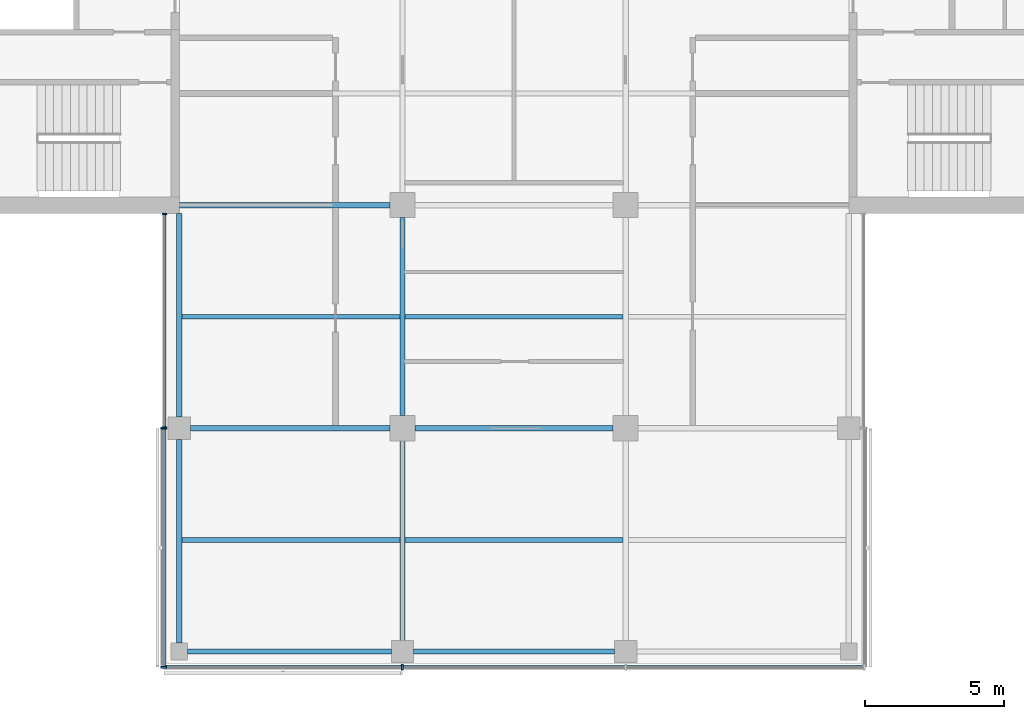
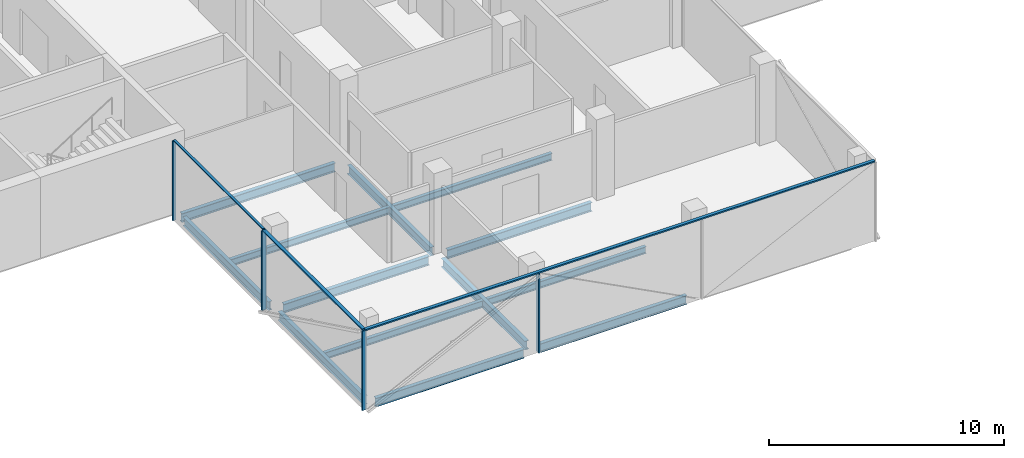
# One storey, part 2 of 16: 13 beams, 8 members, 3 elements without a shape of their own.
"""IFC4 building model written with IfcOpenShell, lengths in metres."""

from ifc_helpers import new_model, si_unit, direction, frame, origin, origin_2d, place, context, subcontext, project, spatial, rectangle, i_section, extrude, material, material_profile, profile_set, type_object, element, aggregate, save


model = new_model("IFC4")

# Units and contexts
model_context = context("Model", 3, precision=1e-05, world=origin(), true_north=direction((0.0, 1.0)))
body_context = subcontext(model_context, "Body", "Model", "MODEL_VIEW")
ifc_project = project(units=[si_unit("LENGTHUNIT", "METRE"), si_unit("AREAUNIT", "SQUARE_METRE"), si_unit("VOLUMEUNIT", "CUBIC_METRE"), si_unit("PLANEANGLEUNIT", "RADIAN"), si_unit("MASSUNIT", "GRAM", prefix="KILO")], contexts=[model_context])

# Site, building, storey
site_placement = place(None, origin())
site = spatial("IfcSite", under=ifc_project, at=site_placement, CompositionType="ELEMENT")
building_placement = place(site_placement, origin())
building = spatial("IfcBuilding", under=site, at=building_placement, Name="Crosswind Convention Tower", CompositionType="ELEMENT")
storey_placement = place(building_placement, frame((0.0, 0.0, 208.300048828125)))
storey = spatial("IfcBuildingStorey", under=building, at=storey_placement, Name="L44", CompositionType="ELEMENT", Elevation=208.300048828125)

# Beams
ifc_material_1 = material(Name="Steel S355", Category="steel")
ifc_material_profile_1 = material_profile(ifc_material_1, i_section(OverallWidth=0.18994140625, OverallDepth=0.45361328125, WebThickness=0.008544921875, FlangeThickness=0.0126953125, FilletRadius=0.01025390625, at=origin_2d()), Name="UB 457x191x67")
ifc_profile_set_1 = profile_set([ifc_material_profile_1], Name="Steel S355")
beam_type_1 = type_object("IfcBeamType", Name="Edge beam UB 457x191x67", PredefinedType="SPANDREL", material=ifc_profile_set_1)
for number, where, z_axis, x_axis, name in (
    (1, (113.0, 72.300048828125, -0.52685546875), (0.0, 1.0, 0.0), (-1.0, 0.0, 0.0), "B16 L44 edge beam 1"),
    (2, (113.0, 80.39990234375, -0.52685546875), (0.0, 1.0, 0.0), (-1.0, 0.0, 0.0), "B16 L44 edge beam 2"),
    (3, (113.300048828125, 72.0, -0.52685546875), (1.0, 0.0, 0.0), (0.0, 1.0, 0.0), "B16 L44 edge beam 5"),
):
    element("IfcBeam", number, at=place(storey_placement, frame(where, z_axis=z_axis, x_axis=x_axis)), inside=storey, type_object=beam_type_1, Name=name, PredefinedType="SPANDREL", context=body_context, shape_type="SweptSolid", body=[
        extrude(i_section(OverallWidth=0.18994140625, OverallDepth=0.45361328125, WebThickness=0.008544921875, FlangeThickness=0.0126953125, FilletRadius=0.01025390625, at=origin_2d()), origin(), (0.0, 0.0, 1.0), 7.300048828125),
    ])
beam_1_placement = place(storey_placement, frame((121.39990234375, 72.0, -0.52685546875), z_axis=(1.0, 0.0, 0.0), x_axis=(0.0, 1.0, 0.0)))
element("IfcBeam", 4, at=beam_1_placement, inside=storey, type_object=beam_type_1, Name="B16 L44 edge beam 7", PredefinedType="SPANDREL", context=body_context, shape_type="SweptSolid", body=[
    extrude(i_section(OverallWidth=0.18994140625, OverallDepth=0.45361328125, WebThickness=0.008544921875, FlangeThickness=0.0126953125, FilletRadius=0.01025390625, at=origin_2d()), origin(), (0.0, 0.0, 1.0), 7.2001953125),
])
ifc_material_profile_2 = material_profile(ifc_material_1, i_section(OverallWidth=0.1904296875, OverallDepth=0.457275390625, WebThickness=0.009033203125, FlangeThickness=0.014404296875, FilletRadius=0.01025390625, at=origin_2d()), Name="UB 457x191x75")
ifc_profile_set_2 = profile_set([ifc_material_profile_2], Name="Steel S355")
beam_type_2 = type_object("IfcBeamType", Name="Girder UB 457x191x75", PredefinedType="BEAM", material=ifc_profile_set_2)
for number, where, z_axis, x_axis, name in (
    (5, (113.39990234375, 80.0, -0.528564453125), (1.0, 0.0, 0.0), (0.0, 1.0, 0.0), "B2 L44 girder 1"),
    (6, (121.0, 72.39990234375, -0.528564453125), (0.0, 1.0, 0.0), (-1.0, 0.0, 0.0), "B2 L44 girder 3"),
):
    element("IfcBeam", number, at=place(storey_placement, frame(where, z_axis=z_axis, x_axis=x_axis)), inside=storey, type_object=beam_type_2, Name=name, PredefinedType="BEAM", context=body_context, shape_type="SweptSolid", body=[
        extrude(i_section(OverallWidth=0.1904296875, OverallDepth=0.457275390625, WebThickness=0.009033203125, FlangeThickness=0.014404296875, FilletRadius=0.01025390625, at=origin_2d()), origin(), (0.0, 0.0, 1.0), 7.150146484375),
    ])
for number, where, z_axis, x_axis, name in (
    (7, (121.0, 80.449951171875, -0.528564453125), (0.0, 1.0, 0.0), (-1.0, 0.0, 0.0), "B2 L44 girder 4"),
    (8, (121.449951171875, 80.0, -0.528564453125), (1.0, 0.0, 0.0), (0.0, 1.0, 0.0), "B2 L44 girder 10"),
):
    element("IfcBeam", number, at=place(storey_placement, frame(where, z_axis=z_axis, x_axis=x_axis)), inside=storey, type_object=beam_type_2, Name=name, PredefinedType="BEAM", context=body_context, shape_type="SweptSolid", body=[
        extrude(i_section(OverallWidth=0.1904296875, OverallDepth=0.457275390625, WebThickness=0.009033203125, FlangeThickness=0.014404296875, FilletRadius=0.01025390625, at=origin_2d()), origin(), (0.0, 0.0, 1.0), 7.10009765625),
    ])
ifc_material_profile_3 = material_profile(ifc_material_1, i_section(OverallWidth=0.19140625, OverallDepth=0.460205078125, WebThickness=0.010009765625, FlangeThickness=0.01611328125, FilletRadius=0.01025390625, at=origin_2d()), Name="UB 457x191x82")
ifc_profile_set_3 = profile_set([ifc_material_profile_3], Name="Steel S355")
beam_type_3 = type_object("IfcBeamType", Name="Girder at core wall UB 457x191x82", PredefinedType="BEAM", material=ifc_profile_set_3)
beam_2_placement = place(storey_placement, frame((113.0, 88.0, -0.530029296875), z_axis=(1.0, 0.0, 0.0), x_axis=(0.0, 1.0, 0.0)))
element("IfcBeam", 9, at=beam_2_placement, inside=storey, type_object=beam_type_3, Name="B23 L44 girder at core wall 1", PredefinedType="BEAM", context=body_context, shape_type="SweptSolid", body=[
    extrude(i_section(OverallWidth=0.19140625, OverallDepth=0.460205078125, WebThickness=0.010009765625, FlangeThickness=0.01611328125, FilletRadius=0.01025390625, at=origin_2d()), origin(), (0.0, 0.0, 1.0), 7.550048828125),
])

# Curtain wall, members
ifc_material_2 = material(Name="Aluminium unitised curtain wall", Category="aluminium")
curtain_wall_type_1 = type_object("IfcCurtainWallType", Name="CORE END SLOT WALL 160", PredefinedType="USERDEFINED", material=ifc_material_2)
curtain_wall_1_placement = place(storey_placement, origin())
curtain_wall_1 = element("IfcCurtainWall", 10, at=curtain_wall_1_placement, inside=storey, type_object=curtain_wall_type_1, Name="CW6 L44 S-W.1-1 slot", ObjectType="UNITISED", PredefinedType="USERDEFINED")
ifc_material_3 = material(Name="Aluminium mullion", Category="aluminium")
ifc_material_profile_4 = material_profile(ifc_material_3, rectangle(XDim=0.159912109375, YDim=0.050048828125, at=origin_2d()), Name="AL 160X50")
ifc_profile_set_4 = profile_set([ifc_material_profile_4], Name="Aluminium mullion")
member_type_1 = type_object("IfcMemberType", Name="MULLION 50X160", PredefinedType="MULLION", material=ifc_profile_set_4)
member_1_placement = place(storey_placement, frame((112.469970703125, 87.675048828125, -0.300048828125), z_axis=(0.0, 0.0, 1.0), x_axis=(-1.0, 0.0, 0.0)))
member_1 = element("IfcMember", 11, at=member_1_placement, type_object=member_type_1, Name="CW6 mullion 1", PredefinedType="MULLION", context=body_context, shape_type="SweptSolid", body=[
    extrude(rectangle(XDim=0.159912109375, YDim=0.050048828125, at=origin_2d()), origin(), (0.0, 0.0, 1.0), 4.14990234375),
])
member_2_placement = place(storey_placement, frame((112.469970703125, 80.02490234375, -0.300048828125), z_axis=(0.0, 0.0, 1.0), x_axis=(-1.0, 0.0, 0.0)))
member_2 = element("IfcMember", 12, at=member_2_placement, type_object=member_type_1, Name="CW6 mullion 2", PredefinedType="MULLION", context=body_context, shape_type="SweptSolid", body=[
    extrude(rectangle(XDim=0.159912109375, YDim=0.050048828125, at=origin_2d()), origin(), (0.0, 0.0, 1.0), 4.14990234375),
])

curtain_wall_type_2 = type_object("IfcCurtainWallType", Name="OFFICE UNITISED WALL 220", PredefinedType="USERDEFINED", material=ifc_material_2)
curtain_wall_2_placement = place(storey_placement, origin())
curtain_wall_2 = element("IfcCurtainWall", 13, at=curtain_wall_2_placement, inside=storey, type_object=curtain_wall_type_2, Name="CW3 L44 S-W 1", ObjectType="UNITISED", PredefinedType="USERDEFINED")
ifc_material_profile_5 = material_profile(ifc_material_3, rectangle(XDim=0.219970703125, YDim=0.070068359375, at=origin_2d()), Name="AL 220X70")
ifc_profile_set_5 = profile_set([ifc_material_profile_5], Name="Aluminium mullion")
member_type_2 = type_object("IfcMemberType", Name="MULLION 70X220", PredefinedType="MULLION", material=ifc_profile_set_5)
member_3_placement = place(storey_placement, frame((112.43994140625, 80.0, -0.300048828125), z_axis=(0.0, 0.0, 1.0), x_axis=(-1.0, 0.0, 0.0)))
member_3 = element("IfcMember", 14, at=member_3_placement, type_object=member_type_2, Name="CW3 mullion 1", PredefinedType="MULLION", context=body_context, shape_type="SweptSolid", body=[
    extrude(rectangle(XDim=0.219970703125, YDim=0.070068359375, at=origin_2d()), origin(), (0.0, 0.0, 1.0), 4.1298828125),
])
member_4_placement = place(storey_placement, frame((112.43994140625, 71.43994140625, -0.300048828125), z_axis=(0.0, 0.0, 1.0), x_axis=(-1.0, 0.0, 0.0)))
member_4 = element("IfcMember", 15, at=member_4_placement, type_object=member_type_2, Name="CW3 mullion 2", PredefinedType="MULLION", context=body_context, shape_type="SweptSolid", body=[
    extrude(rectangle(XDim=0.219970703125, YDim=0.070068359375, at=origin_2d()), origin(), (0.0, 0.0, 1.0), 4.1298828125),
])

# Curtain wall, member
curtain_wall_3_placement = place(storey_placement, origin())
curtain_wall_3 = element("IfcCurtainWall", 16, at=curtain_wall_3_placement, inside=storey, type_object=curtain_wall_type_2, Name="CW3 L44 S-TIP 1", ObjectType="UNITISED", PredefinedType="USERDEFINED")
member_5_placement = place(storey_placement, frame((121.0, 71.43994140625, -0.300048828125), z_axis=(0.0, 0.0, 1.0), x_axis=(0.0, -1.0, 0.0)))
member_5 = element("IfcMember", 17, at=member_5_placement, type_object=member_type_2, Name="CW3 mullion 2", PredefinedType="MULLION", context=body_context, shape_type="SweptSolid", body=[
    extrude(rectangle(XDim=0.219970703125, YDim=0.070068359375, at=origin_2d()), origin(), (0.0, 0.0, 1.0), 4.1298828125),
])

# Beams
ifc_material_profile_6 = material_profile(ifc_material_1, i_section(OverallWidth=0.172119140625, OverallDepth=0.358642578125, WebThickness=0.008056640625, FlangeThickness=0.012939453125, FilletRadius=0.01025390625, at=origin_2d()), Name="UB 356x171x57")
ifc_profile_set_6 = profile_set([ifc_material_profile_6], Name="Steel S355")
beam_type_4 = type_object("IfcBeamType", Name="Secondary beam UB 356x171x57", PredefinedType="JOIST", material=ifc_profile_set_6)
for number, where, z_axis, x_axis, name in (
    (18, (113.094970703125, 76.0, -0.479248046875), (1.0, 0.0, 0.0), (0.0, 1.0, 0.0), "B9 L44 secondary beam 4"),
    (19, (113.094970703125, 84.0, -0.479248046875), (1.0, 0.0, 0.0), (0.0, 1.0, 0.0), "B9 L44 secondary beam 5"),
):
    element("IfcBeam", number, at=place(storey_placement, frame(where, z_axis=z_axis, x_axis=x_axis)), inside=storey, type_object=beam_type_4, Name=name, PredefinedType="JOIST", context=body_context, shape_type="SweptSolid", body=[
        extrude(i_section(OverallWidth=0.172119140625, OverallDepth=0.358642578125, WebThickness=0.008056640625, FlangeThickness=0.012939453125, FilletRadius=0.01025390625, at=origin_2d()), origin(), (0.0, 0.0, 1.0), 7.809814453125),
    ])
for number, where, z_axis, x_axis, name in (
    (20, (121.09521484375, 76.0, -0.479248046875), (1.0, 0.0, 0.0), (0.0, 1.0, 0.0), "B9 L44 secondary beam 8"),
    (21, (121.09521484375, 84.0, -0.479248046875), (1.0, 0.0, 0.0), (0.0, 1.0, 0.0), "B9 L44 secondary beam 9"),
):
    element("IfcBeam", number, at=place(storey_placement, frame(where, z_axis=z_axis, x_axis=x_axis)), inside=storey, type_object=beam_type_4, Name=name, PredefinedType="JOIST", context=body_context, shape_type="SweptSolid", body=[
        extrude(i_section(OverallWidth=0.172119140625, OverallDepth=0.358642578125, WebThickness=0.008056640625, FlangeThickness=0.012939453125, FilletRadius=0.01025390625, at=origin_2d()), origin(), (0.0, 0.0, 1.0), 7.8095703125),
    ])

# Member
ifc_material_4 = material(Name="Aluminium transom", Category="aluminium")
ifc_material_profile_7 = material_profile(ifc_material_4, rectangle(XDim=0.1201171875, YDim=0.050048828125, at=origin_2d()), Name="AL 120X50")
ifc_profile_set_7 = profile_set([ifc_material_profile_7], Name="Aluminium transom")
member_type_3 = type_object("IfcMemberType", Name="TRANSOM 50X120", PredefinedType="USERDEFINED", material=ifc_profile_set_7)
member_6_placement = place(storey_placement, frame((112.469970703125, 87.64990234375, 3.875), z_axis=(0.0, -1.0, 0.0), x_axis=(1.0, 0.0, 0.0)))
member_6 = element("IfcMember", 22, at=member_6_placement, type_object=member_type_3, Name="CW6 transom", ObjectType="TRANSOM", PredefinedType="USERDEFINED", context=body_context, shape_type="SweptSolid", body=[
    extrude(rectangle(XDim=0.1201171875, YDim=0.050048828125, at=origin_2d()), origin(), (0.0, 0.0, 1.0), 7.599853515625),
])

aggregate(curtain_wall_1, [member_1, member_2, member_6])

ifc_material_profile_8 = material_profile(ifc_material_4, rectangle(XDim=0.159912109375, YDim=0.070068359375, at=origin_2d()), Name="AL 160X70")
ifc_profile_set_8 = profile_set([ifc_material_profile_8], Name="Aluminium transom")
member_type_4 = type_object("IfcMemberType", Name="TRANSOM 70X160", PredefinedType="USERDEFINED", material=ifc_profile_set_8)
member_7_placement = place(storey_placement, frame((112.43994140625, 79.965087890625, 3.864990234375), z_axis=(0.0, -1.0, 0.0), x_axis=(1.0, 0.0, 0.0)))
member_7 = element("IfcMember", 23, at=member_7_placement, type_object=member_type_4, Name="CW3 transom", ObjectType="TRANSOM", PredefinedType="USERDEFINED", context=body_context, shape_type="SweptSolid", body=[
    extrude(rectangle(XDim=0.159912109375, YDim=0.070068359375, at=origin_2d()), origin(), (0.0, 0.0, 1.0), 8.489990234375),
])

aggregate(curtain_wall_2, [member_3, member_4, member_7])

member_8_placement = place(storey_placement, frame((112.47509765625, 71.43994140625, 3.864990234375), z_axis=(1.0, 0.0, 0.0), x_axis=(0.0, 1.0, 0.0)))
member_8 = element("IfcMember", 24, at=member_8_placement, type_object=member_type_4, Name="CW3 transom", ObjectType="TRANSOM", PredefinedType="USERDEFINED", context=body_context, shape_type="SweptSolid", body=[
    extrude(rectangle(XDim=0.159912109375, YDim=0.070068359375, at=origin_2d()), origin(), (0.0, 0.0, 1.0), 25.0498046875),
])

aggregate(curtain_wall_3, [member_5, member_8])

save(model, "model.ifc")
